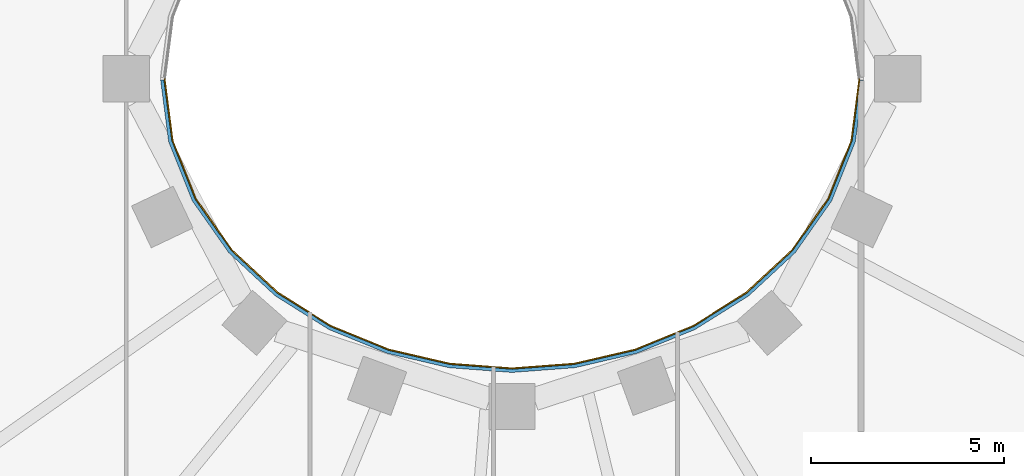
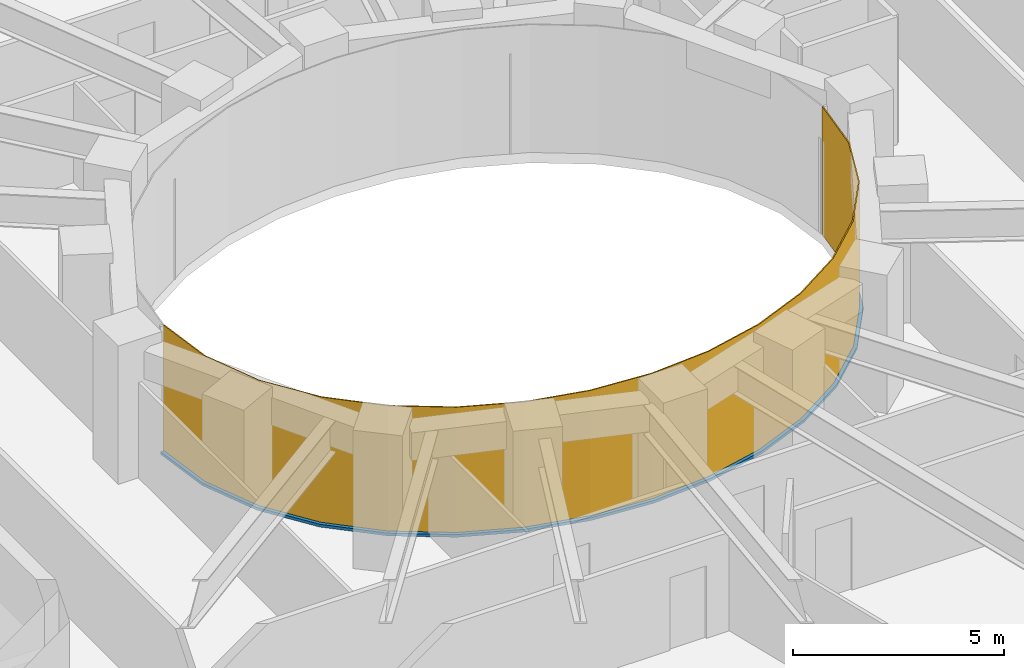
# One storey, part 10 of 16: 1 curtain wall, 1 member.
"""IFC4 building model written with IfcOpenShell, lengths in metres."""

import ifcopenshell
import ifcopenshell.guid

model = None  # the IFC model being written
_history = None  # IfcOwnerHistory: only IFC2X3 demands one
_inside = {}  # id of a spatial element -> (the spatial element, [elements in it])
_under = {}  # id of a project, library or spatial element -> (it, [spatial elements below it])
_declared = {}  # id of a project -> (the project, [libraries it declares])
_typed = {}  # id of a type object -> (the type object, [elements of that type])
_made_of = {}  # id of a material, layer set ... -> (it, [elements and type objects made of it])


def new_model(schema):
    """Start an empty IFC model of exactly this schema.

    Asked for "IFC4X3", IfcOpenShell would pick the latest addendum, in which some entities
    have other attributes; the version numbers below select the first issue.
    IFC2X3 requires an IfcOwnerHistory on every rooted entity: one is made here for all.
    """
    global model, _history
    if schema == "IFC4X3":
        model = ifcopenshell.file(schema_version=(4, 3, 0, 0))
    else:
        model = ifcopenshell.file(schema=schema)
    _inside.clear()
    _under.clear()
    _declared.clear()
    _typed.clear()
    _made_of.clear()
    _history = None
    if model.schema == "IFC2X3":
        org = make("IfcOrganization", Name="unknown")
        user = make(
            "IfcPersonAndOrganization",
            ThePerson=make("IfcPerson", FamilyName="unknown"),
            TheOrganization=org,
        )
        app = make(
            "IfcApplication",
            ApplicationDeveloper=org,
            Version="unknown",
            ApplicationFullName="unknown",
            ApplicationIdentifier="unknown",
        )
        _history = make(
            "IfcOwnerHistory",
            OwningUser=user,
            OwningApplication=app,
            ChangeAction="ADDED",
            CreationDate=0,
        )
    return model


def make(cls, **values):
    """One entity of the class cls with the attributes given. An attribute that is None is left unset."""
    return model.create_entity(
        cls, **{name: value for name, value in values.items() if value is not None}
    )


def rooted(cls, **values):
    """An entity with a GlobalId (a new one), such as an element, a storey or a relation."""
    return make(cls, GlobalId=ifcopenshell.guid.new(), OwnerHistory=_history, **values)


def si_unit(unit_type, name, prefix=None):
    """IfcSIUnit, for example si_unit("LENGTHUNIT", "METRE", prefix="MILLI")."""
    return make("IfcSIUnit", UnitType=unit_type, Prefix=prefix, Name=name)


def assignment(units):
    """IfcUnitAssignment: the units of a project."""
    return None if units is None else make("IfcUnitAssignment", Units=units)


def point(xyz):
    """IfcCartesianPoint."""
    return None if xyz is None else make("IfcCartesianPoint", Coordinates=xyz)


def direction(xyz):
    """IfcDirection."""
    return None if xyz is None else make("IfcDirection", DirectionRatios=xyz)


def frame(location, z_axis=None, x_axis=None):
    """IfcAxis2Placement3D, a coordinate frame: its origin and axes. An axis left out is left unset."""
    return make(
        "IfcAxis2Placement3D",
        Location=point(location),
        Axis=direction(z_axis),
        RefDirection=direction(x_axis),
    )


def origin():
    """The frame at (0, 0, 0) with its axes left unset."""
    return frame((0.0, 0.0, 0.0))


def place(relative_to, where):
    """IfcLocalPlacement: puts the frame where relative to a parent placement (None: the world)."""
    return make(
        "IfcLocalPlacement", PlacementRelTo=relative_to, RelativePlacement=where
    )


def context(
    kind, dimensions, precision=None, world=None, true_north=None, identifier=None
):
    """IfcGeometricRepresentationContext, for example the 3D "Model" context."""
    return make(
        "IfcGeometricRepresentationContext",
        ContextIdentifier=identifier,
        ContextType=kind,
        CoordinateSpaceDimension=dimensions,
        Precision=precision,
        WorldCoordinateSystem=world,
        TrueNorth=true_north,
    )


def subcontext(parent, identifier, kind, view, scale=None):
    """IfcGeometricRepresentationSubContext, for example "Body" below "Model"."""
    return make(
        "IfcGeometricRepresentationSubContext",
        ContextIdentifier=identifier,
        ContextType=kind,
        ParentContext=parent,
        TargetScale=scale,
        TargetView=view,
    )


def project(units=None, contexts=None):
    """IfcProject with its units and contexts."""
    return rooted(
        "IfcProject",
        Name="project",
        RepresentationContexts=contexts,
        UnitsInContext=assignment(units),
    )


def spatial(cls, under=None, at=None, **own):
    """A site, building, storey or space (cls), placed at a placement, below another one or the project."""
    s = rooted(cls, ObjectPlacement=at, **own)
    if under is not None:
        _under.setdefault(under.id(), (under, []))[1].append(s)
    return s


def polyline(points):
    """IfcPolyline through the points."""
    return make("IfcPolyline", Points=[point(p) for p in points])


def outline(outer, holes=None, kind="AREA"):
    """IfcArbitraryClosedProfileDef: a profile drawn as a closed curve; with holes, ...WithVoids."""
    if holes is None:
        return make("IfcArbitraryClosedProfileDef", ProfileType=kind, OuterCurve=outer)
    return make(
        "IfcArbitraryProfileDefWithVoids",
        ProfileType=kind,
        OuterCurve=outer,
        InnerCurves=holes,
    )


def extrude(swept, where, along, depth):
    """IfcExtrudedAreaSolid: the profile swept, set in the frame where, extruded along a direction by depth."""
    return make(
        "IfcExtrudedAreaSolid",
        SweptArea=swept,
        Position=where,
        ExtrudedDirection=direction(along),
        Depth=depth,
    )


def shape(context_of_items, identifier, shape_type, items):
    """IfcShapeRepresentation: the items that make up one representation, for example the "Body"."""
    return make(
        "IfcShapeRepresentation",
        ContextOfItems=context_of_items,
        RepresentationIdentifier=identifier,
        RepresentationType=shape_type,
        Items=items,
    )


def material(Name=None, Category=None):
    """IfcMaterial."""
    return make("IfcMaterial", Name=Name, Category=Category)


def layer(
    of_material, thickness, ventilated=None, Name=None, Category=None, Priority=None
):
    """IfcMaterialLayer: one layer of a wall or slab, of a material (None: an air gap)."""
    return make(
        "IfcMaterialLayer",
        Material=of_material,
        LayerThickness=thickness,
        IsVentilated=ventilated,
        Name=Name,
        Category=Category,
        Priority=Priority,
    )


def layer_set(layers, Name=None):
    """IfcMaterialLayerSet."""
    return make("IfcMaterialLayerSet", MaterialLayers=layers, LayerSetName=Name)


def made_of(thing, what):
    """Note that an element or type object is made of a material, layer set ...; save() writes the relation."""
    if what is not None:
        _made_of.setdefault(what.id(), (what, []))[1].append(thing)
    return thing


def type_object(cls, material=None, **own):
    """A type object (cls), such as IfcWallType, which elements share."""
    return made_of(rooted(cls, **own), material)


def element(
    cls,
    number,
    at=None,
    inside=None,
    cuts=None,
    type_object=None,
    material=None,
    context=None,
    identifier="Body",
    shape_type=None,
    held_by="IfcProductDefinitionShape",
    body=None,
    shapes=None,
    **own,
):
    """One element of the class cls, such as IfcWall. Its Tag is "e" and its number.

    at: its placement. inside: the storey or other place that contains it. cuts: it is an
    opening in that element (IfcRelVoidsElement). A single representation is given by context,
    identifier, shape_type and body (its items); several are given by shapes. held_by: the class
    of the entity that holds the representations. save() writes the other relations.
    """
    e = rooted(cls, Tag="e%d" % number, ObjectPlacement=at, **own)
    if body is not None:
        shapes = [shape(context, identifier, shape_type, body)]
    if shapes is not None:
        e.Representation = make(held_by, Representations=shapes)
    if inside is not None:
        _inside.setdefault(inside.id(), (inside, []))[1].append(e)
    if cuts is not None:
        rooted(
            "IfcRelVoidsElement", RelatingBuildingElement=cuts, RelatedOpeningElement=e
        )
    if type_object is not None:
        _typed.setdefault(type_object.id(), (type_object, []))[1].append(e)
    return made_of(e, material)


def aggregate(whole, parts):
    """IfcRelAggregates: a whole, such as a stair, and the parts it consists of."""
    return rooted("IfcRelAggregates", RelatingObject=whole, RelatedObjects=parts)


def save(model, path):
    """Write the relations noted so far, then the file.

    IfcRelAggregates (storeys below a building ...), IfcRelContainedInSpatialStructure (elements
    in a storey), IfcRelDefinesByType, IfcRelAssociatesMaterial and IfcRelDeclares: one each for
    every whole, place, type object, material and project.
    """
    for whole, parts in _under.values():
        aggregate(whole, parts)
    for where, things in _inside.values():
        rooted(
            "IfcRelContainedInSpatialStructure",
            RelatedElements=things,
            RelatingStructure=where,
        )
    for kind, things in _typed.values():
        rooted("IfcRelDefinesByType", RelatedObjects=things, RelatingType=kind)
    for what, things in _made_of.values():
        rooted("IfcRelAssociatesMaterial", RelatedObjects=things, RelatingMaterial=what)
    for by, libraries in _declared.values():
        rooted("IfcRelDeclares", RelatingContext=by, RelatedDefinitions=libraries)
    model.write(path)


model = new_model("IFC4")

# Units and contexts
model_context = context("Model", 3, precision=1e-05, world=origin(), true_north=direction((0.0, 1.0)))
body_context = subcontext(model_context, "Body", "Model", "MODEL_VIEW")
ifc_project = project(units=[si_unit("LENGTHUNIT", "METRE"), si_unit("AREAUNIT", "SQUARE_METRE"), si_unit("VOLUMEUNIT", "CUBIC_METRE"), si_unit("PLANEANGLEUNIT", "RADIAN"), si_unit("MASSUNIT", "GRAM", prefix="KILO")], contexts=[model_context])

# Member
ifc_material_1 = material(Name="Steel S355 fire-resisting frame", Category="steel")
member_type = type_object("IfcMemberType", Name="ENV-TRANSOM-W", PredefinedType="USERDEFINED", material=ifc_material_1)
site_placement = place(None, origin())
building_placement = place(site_placement, origin())
storey_placement = place(building_placement, frame((0.0, 0.0, 100.0)))
member_placement = place(storey_placement, origin())
member = element("IfcMember", 1, at=member_placement, type_object=member_type, Name="Transom W well 17-01", ObjectType="TRANSOM", PredefinedType="USERDEFINED", context=body_context, shape_type="SweptSolid", body=[
    extrude(outline(polyline([(-9.119384765625, -0.02783203125), (-8.910400390625, -1.63623046875), (-8.29833984375, -3.167236328125), (-7.35107421875, -4.5146484375), (-6.1455078125, -5.6337890625), (-4.75341796875, -6.50634765625), (-3.233642578125, -7.127685546875), (-1.635498046875, -7.498779296875), (0.0, -7.622314453125), (1.635498046875, -7.498779296875), (3.233642578125, -7.127685546875), (4.75341796875, -6.50634765625), (6.1455078125, -5.6337890625), (7.35107421875, -4.5146484375), (8.29833984375, -3.167236328125), (8.910400390625, -1.63623046875), (9.119384765625, -0.02783203125), (9.02880859375, -0.02783203125), (8.822509765625, -1.61328125), (8.21875, -3.124267578125), (7.282958984375, -4.455078125), (6.090576171875, -5.56201171875), (4.712158203125, -6.426025390625), (3.206298828125, -7.04150390625), (1.621826171875, -7.40966796875), (0.0, -7.531982421875), (-1.621826171875, -7.40966796875), (-3.206298828125, -7.04150390625), (-4.712158203125, -6.426025390625), (-6.090576171875, -5.56201171875), (-7.282958984375, -4.455078125), (-8.21875, -3.124267578125), (-8.822509765625, -1.61328125), (-9.02880859375, -0.02783203125), (-9.119384765625, -0.02783203125)])), origin(), (0.0, 0.0, 1.0), 0.080078125),
])

# Site, building, storey
site = spatial("IfcSite", under=ifc_project, at=site_placement, CompositionType="ELEMENT")
building = spatial("IfcBuilding", under=site, at=building_placement, Name="Noorbagh Ring Tower", CompositionType="ELEMENT")
storey = spatial("IfcBuildingStorey", under=building, at=storey_placement, Name="L22", CompositionType="ELEMENT", Elevation=100.0)

# Curtain wall
ifc_material_2 = material(Name="Glass fire-resisting E60 laminated", Category="glass")
ifc_layer = layer(ifc_material_2, 0.031982421875)
ifc_layer_set = layer_set([ifc_layer], Name="Glass fire-resisting E60 laminated")
curtain_wall_type = type_object("IfcCurtainWallType", Name="ENV-CW-W", PredefinedType="NOTDEFINED", material=ifc_layer_set)
curtain_wall_placement = place(storey_placement, origin())
curtain_wall = element("IfcCurtainWall", 2, at=curtain_wall_placement, inside=storey, type_object=curtain_wall_type, Name="Curtain wall W W17", PredefinedType="NOTDEFINED", context=body_context, shape_type="SweptSolid", body=[
    extrude(outline(polyline([(-9.0322265625, 0.0), (-8.822509765625, -1.61328125), (-8.21875, -3.124267578125), (-7.282958984375, -4.455078125), (-6.090576171875, -5.56201171875), (-4.712158203125, -6.426025390625), (-3.206298828125, -7.04150390625), (-1.621826171875, -7.40966796875), (0.0, -7.531982421875), (1.621826171875, -7.40966796875), (3.206298828125, -7.04150390625), (4.712158203125, -6.426025390625), (6.090576171875, -5.56201171875), (7.282958984375, -4.455078125), (8.21875, -3.124267578125), (8.822509765625, -1.61328125), (9.0322265625, 0.0), (9.0, 0.0), (8.79150390625, -1.605224609375), (8.1904296875, -3.10888671875), (7.2587890625, -4.43408203125), (6.071044921875, -5.53662109375), (4.697509765625, -6.3974609375), (3.196533203125, -7.010986328125), (1.6171875, -7.3779296875), (0.0, -7.5), (-1.6171875, -7.3779296875), (-3.196533203125, -7.010986328125), (-4.697509765625, -6.3974609375), (-6.071044921875, -5.53662109375), (-7.2587890625, -4.43408203125), (-8.1904296875, -3.10888671875), (-8.79150390625, -1.605224609375), (-9.0, 0.0), (-9.0322265625, 0.0)])), origin(), (0.0, 0.0, 1.0), 3.699951171875),
])

aggregate(curtain_wall, [member])

save(model, "model.ifc")
